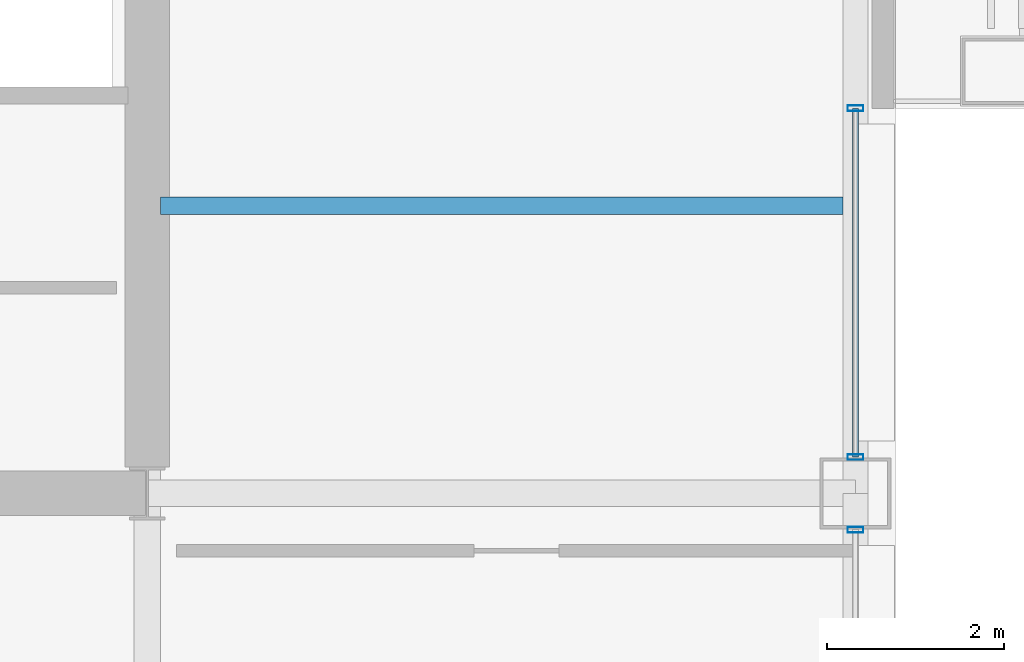
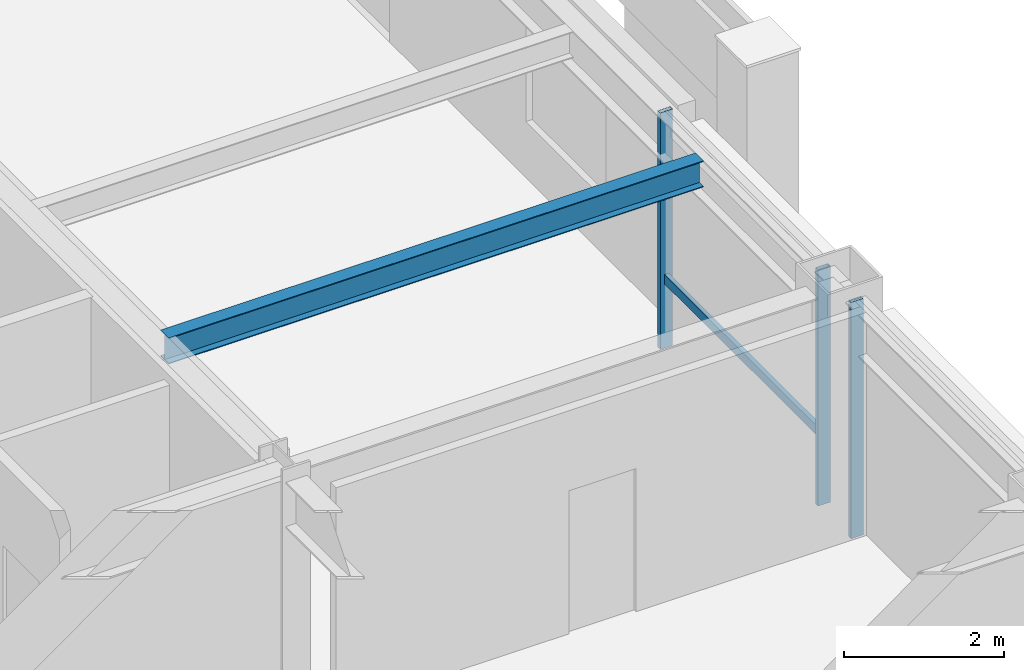
# One storey, part 14 of 29: 4 members, 1 beam, 2 elements without a shape of their own.
"""IFC4 building model written with IfcOpenShell, lengths in metres."""

from ifc_helpers import new_model, si_unit, direction, frame, origin, origin_2d, place, context, subcontext, project, spatial, hollow_rectangle, i_section, extrude, material, layer, layer_set, material_profile, profile_set, type_object, element, aggregate, save


model = new_model("IFC4")

# Units and contexts
model_context = context("Model", 3, precision=1e-05, world=origin(), true_north=direction((0.0, 1.0)))
body_context = subcontext(model_context, "Body", "Model", "MODEL_VIEW")
ifc_project = project(units=[si_unit("LENGTHUNIT", "METRE"), si_unit("AREAUNIT", "SQUARE_METRE"), si_unit("VOLUMEUNIT", "CUBIC_METRE"), si_unit("PLANEANGLEUNIT", "RADIAN"), si_unit("MASSUNIT", "GRAM", prefix="KILO")], contexts=[model_context])

# Site, building, storey
site_placement = place(None, origin())
site = spatial("IfcSite", under=ifc_project, at=site_placement, CompositionType="ELEMENT")
building_placement = place(site_placement, origin())
building = spatial("IfcBuilding", under=site, at=building_placement, Name="Brelmoor Portico Tower", CompositionType="ELEMENT")
storey_placement = place(building_placement, frame((0.0, 0.0, 135.0)))
storey = spatial("IfcBuildingStorey", under=building, at=storey_placement, Name="L35", CompositionType="ELEMENT", Elevation=135.0)

# Beam
ifc_material_1 = material(Name="Steel Q355B", Category="steel")
ifc_material_profile_1 = material_profile(ifc_material_1, i_section(OverallWidth=0.199951171875, OverallDepth=0.39990234375, WebThickness=0.008056640625, FlangeThickness=0.012939453125, at=origin_2d()), Name="HN 400x200x8x13")
ifc_profile_set_1 = profile_set([ifc_material_profile_1], Name="Steel Q355B")
beam_type = type_object("IfcBeamType", Name="BM-JS-400", PredefinedType="JOIST", material=ifc_profile_set_1)
beam_placement = place(storey_placement, frame((14.699951171875, -6.5, 3.199951171875), z_axis=(1.0, 0.0, 0.0), x_axis=(0.0, 1.0, 0.0)))
element("IfcBeam", 1, at=beam_placement, inside=storey, type_object=beam_type, Name="L35 Secondary Wing Joist JS-E09", PredefinedType="JOIST", context=body_context, shape_type="SweptSolid", body=[
    extrude(i_section(OverallWidth=0.199951171875, OverallDepth=0.39990234375, WebThickness=0.008056640625, FlangeThickness=0.012939453125, at=origin_2d()), origin(), (0.0, 0.0, 1.0), 7.7099609375),
])

# Curtain wall, member
ifc_material_2 = material(Name="Anodised Aluminium Alloy 6063-T6", Category="aluminium")
ifc_layer_1 = layer(ifc_material_2, 0.179931640625)
ifc_layer_set_1 = layer_set([ifc_layer_1], Name="Anodised Aluminium Alloy 6063-T6")
curtain_wall_type_1 = type_object("IfcCurtainWallType", Name="CW-TOWER-Z2-XB", PredefinedType="NOTDEFINED", material=ifc_layer_set_1)
curtain_wall_1_placement = place(storey_placement, origin())
curtain_wall_1 = element("IfcCurtainWall", 2, at=curtain_wall_1_placement, inside=storey, type_object=curtain_wall_type_1, Name="L35 Curtain Wall CW-L35-4L-1", PredefinedType="NOTDEFINED")
ifc_material_profile_2 = material_profile(ifc_material_2, hollow_rectangle(XDim=0.06494140625, YDim=0.179931640625, WallThickness=0.00390625, at=origin_2d()), Name="ALU MULLION 65x180")
ifc_profile_set_2 = profile_set([ifc_material_profile_2], Name="Anodised Aluminium Alloy 6063-T6")
member_type_1 = type_object("IfcMemberType", Name="MB-CW-MULL-180", PredefinedType="MULLION", material=ifc_profile_set_2)
member_1_placement = place(storey_placement, frame((22.550048828125, -10.159912109375, -0.199951171875), z_axis=(0.0, 0.0, 1.0), x_axis=(0.0, 1.0, 0.0)))
member_1 = element("IfcMember", 3, at=member_1_placement, type_object=member_type_1, Name="CW-L35-4L-1 Mullion 01", PredefinedType="MULLION", context=body_context, shape_type="SweptSolid", body=[
    extrude(hollow_rectangle(XDim=0.06494140625, YDim=0.179931640625, WallThickness=0.00390625, at=origin_2d()), origin(), (0.0, 0.0, 1.0), 3.599853515625),
])
aggregate(curtain_wall_1, [member_1])

# Curtain wall, members
ifc_layer_2 = layer(ifc_material_2, 0.179931640625)
ifc_layer_set_2 = layer_set([ifc_layer_2], Name="Anodised Aluminium Alloy 6063-T6")
curtain_wall_type_2 = type_object("IfcCurtainWallType", Name="CW-TOWER-Z2", PredefinedType="NOTDEFINED", material=ifc_layer_set_2)
curtain_wall_2_placement = place(storey_placement, origin())
curtain_wall_2 = element("IfcCurtainWall", 4, at=curtain_wall_2_placement, inside=storey, type_object=curtain_wall_type_2, Name="L35 Curtain Wall CW-L35-4L-2", PredefinedType="NOTDEFINED")
member_2_placement = place(storey_placement, frame((22.550048828125, -9.340087890625, -0.199951171875), z_axis=(0.0, 0.0, 1.0), x_axis=(0.0, 1.0, 0.0)))
member_2 = element("IfcMember", 5, at=member_2_placement, type_object=member_type_1, Name="CW-L35-4L-2 Mullion 00", PredefinedType="MULLION", context=body_context, shape_type="SweptSolid", body=[
    extrude(hollow_rectangle(XDim=0.06494140625, YDim=0.179931640625, WallThickness=0.00390625, at=origin_2d()), origin(), (0.0, 0.0, 1.0), 3.599853515625),
])
member_3_placement = place(storey_placement, frame((22.550048828125, -5.39990234375, -0.199951171875), z_axis=(0.0, 0.0, 1.0), x_axis=(0.0, 1.0, 0.0)))
member_3 = element("IfcMember", 6, at=member_3_placement, type_object=member_type_1, Name="CW-L35-4L-2 Mullion 01", PredefinedType="MULLION", context=body_context, shape_type="SweptSolid", body=[
    extrude(hollow_rectangle(XDim=0.06494140625, YDim=0.179931640625, WallThickness=0.00390625, at=origin_2d()), origin(), (0.0, 0.0, 1.0), 3.599853515625),
])
ifc_material_profile_3 = material_profile(ifc_material_2, hollow_rectangle(XDim=0.06494140625, YDim=0.139892578125, WallThickness=0.00390625, at=origin_2d()), Name="ALU TRANSOM 65x140")
ifc_profile_set_3 = profile_set([ifc_material_profile_3], Name="Anodised Aluminium Alloy 6063-T6")
member_type_2 = type_object("IfcMemberType", Name="MB-CW-TRAN-140", PredefinedType="USERDEFINED", material=ifc_profile_set_3)
member_4_placement = place(storey_placement, frame((22.550048828125, -9.340087890625, 0.85009765625), z_axis=(0.0, 1.0, 0.0), x_axis=(-1.0, 0.0, 0.0)))
member_4 = element("IfcMember", 7, at=member_4_placement, type_object=member_type_2, Name="CW-L35-4L-2 Transom 1-00", ObjectType="TRANSOM", PredefinedType="USERDEFINED", context=body_context, shape_type="SweptSolid", body=[
    extrude(hollow_rectangle(XDim=0.06494140625, YDim=0.139892578125, WallThickness=0.00390625, at=origin_2d()), origin(), (0.0, 0.0, 1.0), 3.940185546875),
])
aggregate(curtain_wall_2, [member_2, member_3, member_4])

save(model, "model.ifc")
